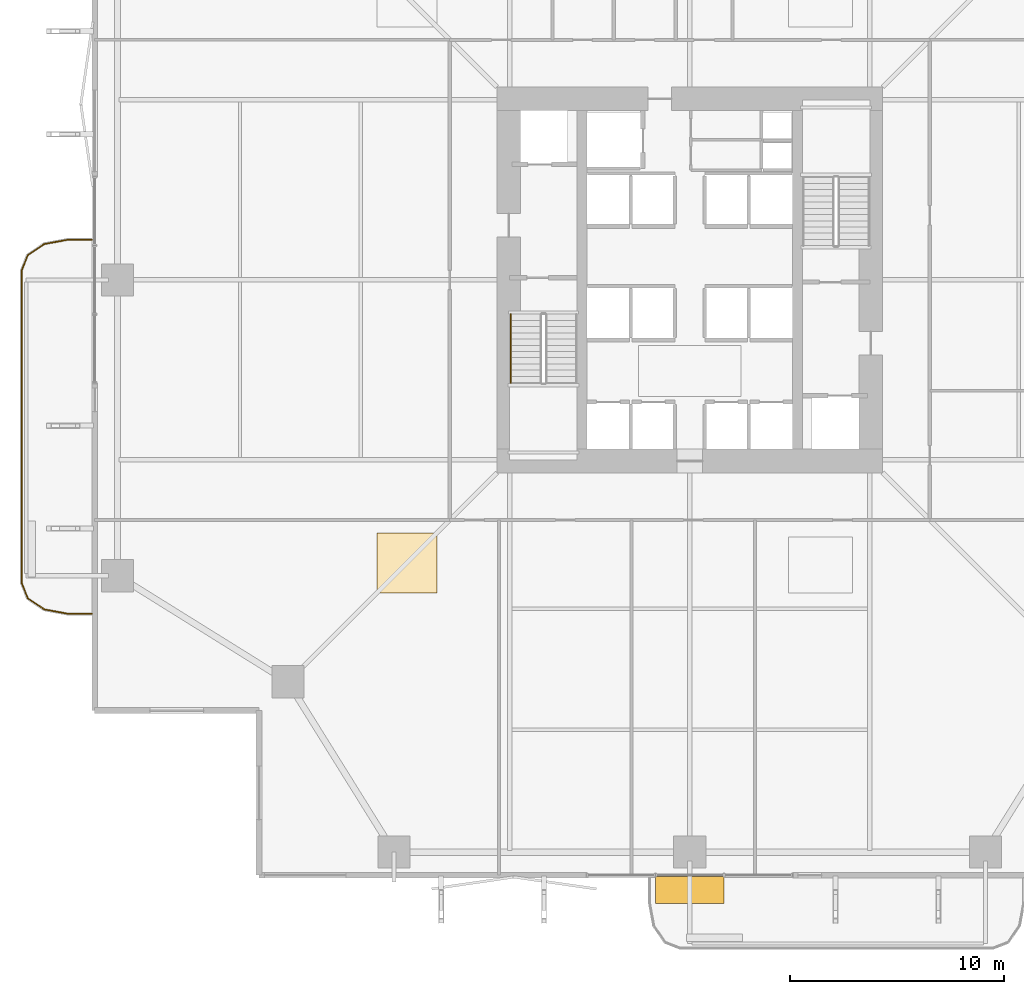
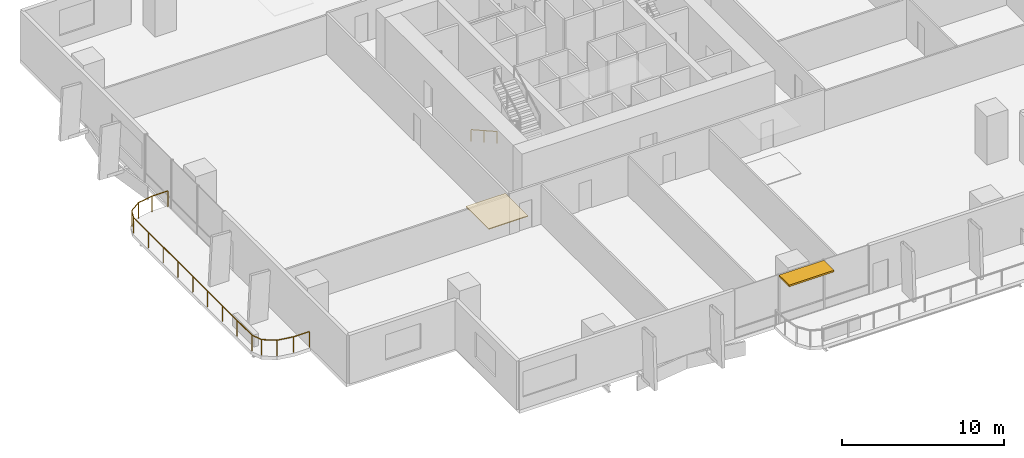
# One storey, part 21 of 24: 2 railings, 1 covering, 1 shading device.
"""IFC4 building model written with IfcOpenShell, lengths in metres."""

from ifc_helpers import new_model, si_unit, direction, frame, origin, origin_2d, place, context, subcontext, project, spatial, polyline, rectangle, outline, extrude, material, layer, layer_set, type_object, element, save


model = new_model("IFC4")

# Units and contexts
model_context = context("Model", 3, precision=1e-05, world=origin(), true_north=direction((0.0, 1.0)))
body_context = subcontext(model_context, "Body", "Model", "MODEL_VIEW")
ifc_project = project(units=[si_unit("LENGTHUNIT", "METRE"), si_unit("AREAUNIT", "SQUARE_METRE"), si_unit("VOLUMEUNIT", "CUBIC_METRE"), si_unit("PLANEANGLEUNIT", "RADIAN"), si_unit("MASSUNIT", "GRAM", prefix="KILO")], contexts=[model_context])

# Site, building, storey
site_placement = place(None, origin())
site = spatial("IfcSite", under=ifc_project, at=site_placement, CompositionType="ELEMENT")
building_placement = place(site_placement, origin())
building = spatial("IfcBuilding", under=site, at=building_placement, Name="Belovzor Exchange Tower", CompositionType="ELEMENT")
storey_placement = place(building_placement, frame((0.0, 0.0, 69.0)))
storey = spatial("IfcBuildingStorey", under=building, at=storey_placement, Name="L16", CompositionType="ELEMENT", Elevation=69.0)

# Railings
ifc_material_1 = material(Name="Stainless Steel Grade 304", Category="steel")
railing_type_1 = type_object("IfcRailingType", Name="Brushed Stainless Steel Stair Handrail 900", PredefinedType="HANDRAIL", material=ifc_material_1)
railing_1_placement = place(storey_placement, frame((20.449951171875, 27.199951171875, 0.16259765625)))
element("IfcRailing", 1, at=railing_1_placement, inside=storey, type_object=railing_type_1, Name="L16 ST-1 stair handrail 1", PredefinedType="HANDRAIL", context=body_context, shape_type="SweptSolid", body=[
    extrude(rectangle(XDim=0.048095703125, YDim=0.048095703125, at=origin_2d()), frame((0.0, 0.0, 0.8759765625), z_axis=(0.0, -0.872390997893, 0.488808701636), x_axis=(1.0, 0.0, 0.0)), (0.0, 0.0, 1.0), 3.656494140625),
    extrude(rectangle(XDim=0.0419921875, YDim=0.0419921875, at=origin_2d()), origin(), (0.0, 0.0, 1.0), 0.851806640625),
    extrude(rectangle(XDim=0.0419921875, YDim=0.0419921875, at=origin_2d()), frame((0.0, -1.594970703125, 0.8935546875)), (0.0, 0.0, 1.0), 0.851806640625),
    extrude(rectangle(XDim=0.0419921875, YDim=0.0419921875, at=origin_2d()), frame((0.0, -3.18994140625, 1.787353515625)), (0.0, 0.0, 1.0), 0.851806640625),
])
ifc_material_2 = material(Name="Stainless Steel and Laminated Safety Glass", Category="steel")
railing_type_2 = type_object("IfcRailingType", Name="Laminated Glass & Stainless Steel Balcony Balustrade 1200", PredefinedType="BALUSTRADE", material=ifc_material_2)
railing_2_placement = place(storey_placement, frame((0.889892578125, 30.669921875, 0.0)))
element("IfcRailing", 2, at=railing_2_placement, inside=storey, type_object=railing_type_2, Name="GR-1 Balcony Balustrade L16 West", PredefinedType="BALUSTRADE", context=body_context, shape_type="SweptSolid", body=[
    extrude(rectangle(XDim=0.048095703125, YDim=0.048095703125, at=origin_2d()), frame((0.0, 0.0, 1.17578125), z_axis=(-1.0, 0.0, 0.0), x_axis=(0.0, -1.0, 0.0)), (0.0, 0.0, 1.0), 1.1328125),
    extrude(rectangle(XDim=0.048095703125, YDim=0.048095703125, at=origin_2d()), frame((-1.1328125, 0.0, 1.17578125), z_axis=(-0.983651385113, -0.180083182347, 0.0), x_axis=(0.180083182347, -0.983651385113, 0.0)), (0.0, 0.0, 1.0), 1.093994140625),
    extrude(rectangle(XDim=0.048095703125, YDim=0.048095703125, at=origin_2d()), frame((-2.208984375, -0.197021484375, 1.17578125), z_axis=(-0.826614792125, -0.562768145367, 0.0), x_axis=(0.562768145367, -0.826614792125, 0.0)), (0.0, 0.0, 1.0), 0.9326171875),
    extrude(rectangle(XDim=0.048095703125, YDim=0.048095703125, at=origin_2d()), frame((-2.97998046875, -0.721923828125, 1.17578125), z_axis=(-0.365612923861, -0.930766990125, 0.0), x_axis=(0.930766990125, -0.365612923861, 0.0)), (0.0, 0.0, 1.0), 0.765869140625),
    extrude(rectangle(XDim=0.048095703125, YDim=0.048095703125, at=origin_2d()), frame((-3.260009765625, -1.434814453125, 1.17578125), z_axis=(0.0, -1.0, 0.0), x_axis=(1.0, 0.0, 0.0)), (0.0, 0.0, 1.0), 14.570068359375),
    extrude(rectangle(XDim=0.048095703125, YDim=0.048095703125, at=origin_2d()), frame((-3.260009765625, -16.0048828125, 1.17578125), z_axis=(0.365504480807, -0.930809580156, 0.0), x_axis=(0.930809580156, 0.365504480807, 0.0)), (0.0, 0.0, 1.0), 0.76611328125),
    extrude(rectangle(XDim=0.048095703125, YDim=0.048095703125, at=origin_2d()), frame((-2.97998046875, -16.718017578125, 1.17578125), z_axis=(0.826614792125, -0.562768145367, 0.0), x_axis=(0.562768145367, 0.826614792125, 0.0)), (0.0, 0.0, 1.0), 0.9326171875),
    extrude(rectangle(XDim=0.048095703125, YDim=0.048095703125, at=origin_2d()), frame((-2.208984375, -17.242919921875, 1.17578125), z_axis=(0.983651385113, -0.180083182347, 0.0), x_axis=(0.180083182347, 0.983651385113, 0.0)), (0.0, 0.0, 1.0), 1.093994140625),
    extrude(rectangle(XDim=0.048095703125, YDim=0.048095703125, at=origin_2d()), frame((-1.1328125, -17.43994140625, 1.17578125), z_axis=(1.0, 0.0, 0.0), x_axis=(0.0, 1.0, 0.0)), (0.0, 0.0, 1.0), 1.1328125),
    extrude(rectangle(XDim=0.0419921875, YDim=0.0419921875, at=origin_2d()), origin(), (0.0, 0.0, 1.0), 1.15185546875),
    extrude(rectangle(XDim=0.0419921875, YDim=0.0419921875, at=origin_2d()), frame((-1.1328125, 0.0, 0.0)), (0.0, 0.0, 1.0), 1.15185546875),
    extrude(rectangle(XDim=0.0419921875, YDim=0.0419921875, at=origin_2d()), frame((-2.208984375, -0.197021484375, 0.0)), (0.0, 0.0, 1.0), 1.15185546875),
    extrude(rectangle(XDim=0.0419921875, YDim=0.0419921875, at=origin_2d()), frame((-2.97998046875, -0.721923828125, 0.0)), (0.0, 0.0, 1.0), 1.15185546875),
    extrude(rectangle(XDim=0.0419921875, YDim=0.0419921875, at=origin_2d()), frame((-3.260009765625, -1.434814453125, 0.0)), (0.0, 0.0, 1.0), 1.15185546875),
    extrude(rectangle(XDim=0.0419921875, YDim=0.0419921875, at=origin_2d()), frame((-3.260009765625, -3.256103515625, 0.0)), (0.0, 0.0, 1.0), 1.15185546875),
    extrude(rectangle(XDim=0.0419921875, YDim=0.0419921875, at=origin_2d()), frame((-3.260009765625, -5.077392578125, 0.0)), (0.0, 0.0, 1.0), 1.15185546875),
    extrude(rectangle(XDim=0.0419921875, YDim=0.0419921875, at=origin_2d()), frame((-3.260009765625, -6.898681640625, 0.0)), (0.0, 0.0, 1.0), 1.15185546875),
    extrude(rectangle(XDim=0.0419921875, YDim=0.0419921875, at=origin_2d()), frame((-3.260009765625, -8.7197265625, 0.0)), (0.0, 0.0, 1.0), 1.15185546875),
    extrude(rectangle(XDim=0.0419921875, YDim=0.0419921875, at=origin_2d()), frame((-3.260009765625, -10.541015625, 0.0)), (0.0, 0.0, 1.0), 1.15185546875),
    extrude(rectangle(XDim=0.0419921875, YDim=0.0419921875, at=origin_2d()), frame((-3.260009765625, -12.3623046875, 0.0)), (0.0, 0.0, 1.0), 1.15185546875),
    extrude(rectangle(XDim=0.0419921875, YDim=0.0419921875, at=origin_2d()), frame((-3.260009765625, -14.18359375, 0.0)), (0.0, 0.0, 1.0), 1.15185546875),
    extrude(rectangle(XDim=0.0419921875, YDim=0.0419921875, at=origin_2d()), frame((-3.260009765625, -16.0048828125, 0.0)), (0.0, 0.0, 1.0), 1.15185546875),
    extrude(rectangle(XDim=0.0419921875, YDim=0.0419921875, at=origin_2d()), frame((-2.97998046875, -16.718017578125, 0.0)), (0.0, 0.0, 1.0), 1.15185546875),
    extrude(rectangle(XDim=0.0419921875, YDim=0.0419921875, at=origin_2d()), frame((-2.208984375, -17.242919921875, 0.0)), (0.0, 0.0, 1.0), 1.15185546875),
    extrude(rectangle(XDim=0.0419921875, YDim=0.0419921875, at=origin_2d()), frame((-1.1328125, -17.43994140625, 0.0)), (0.0, 0.0, 1.0), 1.15185546875),
    extrude(rectangle(XDim=0.0419921875, YDim=0.0419921875, at=origin_2d()), frame((0.0, -17.43994140625, 0.0)), (0.0, 0.0, 1.0), 1.15185546875),
])

# Covering
ifc_material_3 = material(Name="Perforated Powder-Coated Aluminium", Category="aluminium")
ifc_layer_1 = layer(ifc_material_3, 0.06005859375)
ifc_layer_set_1 = layer_set([ifc_layer_1], Name="Perforated Powder-Coated Aluminium")
covering_type = type_object("IfcCoveringType", Name="Perforated Acoustic Metal Tile Suspended Ceiling 60", PredefinedType="CEILING", material=ifc_layer_set_1)
covering_placement = place(storey_placement, frame((0.0, 0.0, 3.590087890625)))
element("IfcCovering", 3, at=covering_placement, inside=storey, type_object=covering_type, Name="CLG-AC60 Suspended Ceiling CLG-L16-Z0", PredefinedType="CEILING", context=body_context, shape_type="SweptSolid", body=[
    extrude(outline(polyline([(14.199951171875, 14.199951171875), (17.0, 14.199951171875), (17.0, 17.0), (14.199951171875, 17.0), (14.199951171875, 14.199951171875)])), origin(), (0.0, 0.0, 1.0), 0.059814453125),
])

# Shading device
ifc_material_4 = material(Name="Extruded Architectural Terracotta", Category="masonry")
ifc_layer_2 = layer(ifc_material_4, 0.1201171875)
ifc_layer_set_2 = layer_set([ifc_layer_2], Name="Extruded Architectural Terracotta")
shading_device_type = type_object("IfcShadingDeviceType", Name="Streamline Terracotta Horizontal Sunshade Hood 1250", PredefinedType="AWNING", material=ifc_layer_set_2)
shading_device_placement = place(storey_placement, frame((28.800048828125, 0.3349609375, 3.530029296875), z_axis=(0.0, 0.0, 1.0), x_axis=(1.0, 0.0, 0.0)))
element("IfcShadingDevice", 4, at=shading_device_placement, inside=storey, type_object=shading_device_type, Name="SHD-TC125 Terracotta Sunshade L16 S", PredefinedType="AWNING", context=body_context, shape_type="SweptSolid", body=[
    extrude(rectangle(XDim=3.199951171875, YDim=1.25, at=origin_2d()), origin(), (0.0, 0.0, 1.0), 0.1201171875),
])

save(model, "model.ifc")
